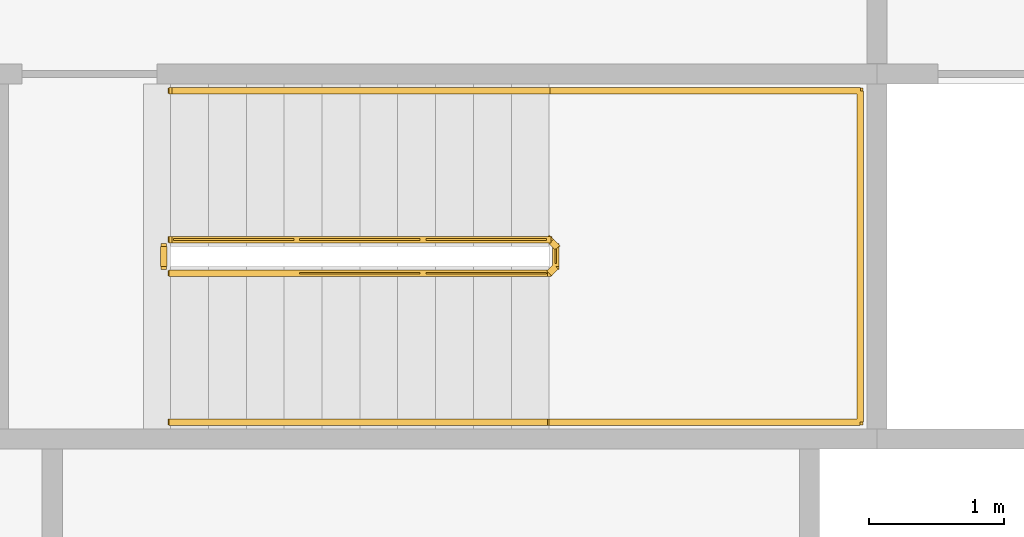
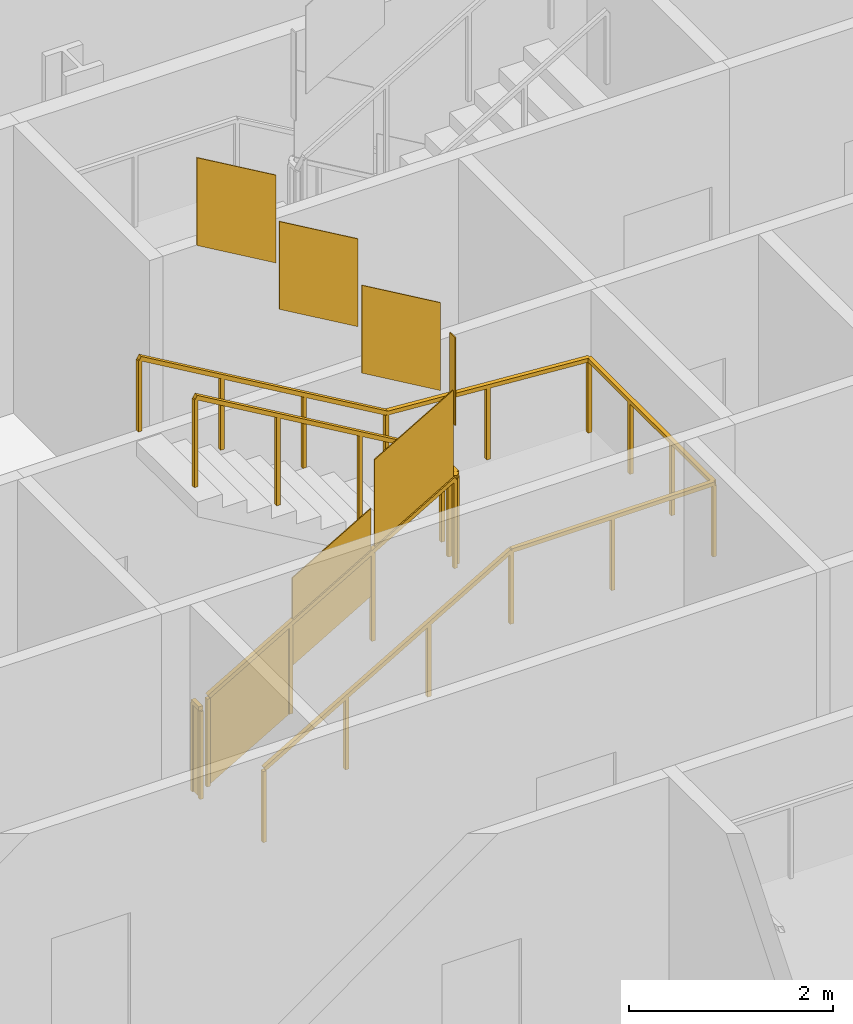
# One storey, part 17 of 21: 3 railings.
"""IFC4 building model written with IfcOpenShell, lengths in metres."""

from ifc_helpers import new_model, si_unit, direction, frame, origin, origin_2d, place, context, subcontext, project, spatial, polyline, rectangle, outline, extrude, material, type_object, element, save


model = new_model("IFC4")

# Units and contexts
model_context = context("Model", 3, precision=1e-05, world=origin(), true_north=direction((0.0, 1.0)))
body_context = subcontext(model_context, "Body", "Model", "MODEL_VIEW")
ifc_project = project(units=[si_unit("LENGTHUNIT", "METRE"), si_unit("AREAUNIT", "SQUARE_METRE"), si_unit("VOLUMEUNIT", "CUBIC_METRE"), si_unit("PLANEANGLEUNIT", "RADIAN"), si_unit("MASSUNIT", "GRAM", prefix="KILO")], contexts=[model_context])

# Site, building, storey
site_placement = place(None, origin())
site = spatial("IfcSite", under=ifc_project, at=site_placement, CompositionType="ELEMENT")
building_placement = place(site_placement, origin())
building = spatial("IfcBuilding", under=site, at=building_placement, Name="Cairn Pilgrim Tower", CompositionType="ELEMENT")
storey_placement = place(building_placement, frame((0.0, 0.0, 136.199951171875)))
storey = spatial("IfcBuildingStorey", under=building, at=storey_placement, Name="L33", CompositionType="ELEMENT", Elevation=136.199951171875)

# Railings
ifc_material = material(Name="Painted steel", Category="steel")
railing_type_1 = type_object("IfcRailingType", Name="STAIR GUARD 1100", PredefinedType="GUARDRAIL", material=ifc_material)
railing_1_placement = place(storey_placement, frame((4.47509765625, 3.425048828125, 0.16357421875)))
element("IfcRailing", 1, at=railing_1_placement, inside=storey, type_object=railing_type_1, Name="L33 ST-B stair guard 1", PredefinedType="GUARDRAIL", context=body_context, shape_type="SweptSolid", body=[
    extrude(rectangle(XDim=0.048095703125, YDim=0.048095703125, at=origin_2d()), frame((0.0, 0.0, 1.076171875), z_axis=(0.863341702679, 0.0, 0.504619762213), x_axis=(0.0, 1.0, 0.0)), (0.0, 0.0, 1.0), 3.242919921875),
    extrude(rectangle(XDim=0.048095703125, YDim=0.048095703125, at=origin_2d()), frame((2.7998046875, 0.0, 2.71240234375), z_axis=(0.707106781187, 0.707106781187, 0.0), x_axis=(-0.707106781187, 0.707106781187, 0.0)), (0.0, 0.0, 1.0), 0.07080078125),
    extrude(rectangle(XDim=0.048095703125, YDim=0.048095703125, at=origin_2d()), frame((2.849853515625, 0.050048828125, 2.71240234375), z_axis=(0.0, 1.0, 0.0), x_axis=(-1.0, 0.0, 0.0)), (0.0, 0.0, 1.0), 0.14990234375),
    extrude(rectangle(XDim=0.048095703125, YDim=0.048095703125, at=origin_2d()), frame((2.849853515625, 0.199951171875, 2.71240234375), z_axis=(-0.280808744504, 0.280808744504, 0.917765164963), x_axis=(-0.707106781187, -0.707106781187, 0.0)), (0.0, 0.0, 1.0), 0.17822265625),
    extrude(rectangle(XDim=0.048095703125, YDim=0.048095703125, at=origin_2d()), frame((2.7998046875, 0.25, 2.8759765625), z_axis=(-0.863341702679, 0.0, 0.504619762213), x_axis=(0.0, -1.0, 0.0)), (0.0, 0.0, 1.0), 3.242919921875),
    extrude(rectangle(XDim=0.0419921875, YDim=0.0419921875, at=origin_2d()), origin(), (0.0, 0.0, 1.0), 1.052001953125),
    extrude(rectangle(XDim=0.0419921875, YDim=0.0419921875, at=origin_2d()), frame((0.933349609375, 0.0, 0.54541015625)), (0.0, 0.0, 1.0), 1.052001953125),
    extrude(rectangle(XDim=0.0419921875, YDim=0.0419921875, at=origin_2d()), frame((1.866455078125, 0.0, 1.091064453125)), (0.0, 0.0, 1.0), 1.052001953125),
    extrude(rectangle(XDim=0.0419921875, YDim=0.0419921875, at=origin_2d()), frame((2.7998046875, 0.0, 1.636474609375)), (0.0, 0.0, 1.0), 1.052001953125),
    extrude(rectangle(XDim=0.0419921875, YDim=0.0419921875, at=origin_2d()), frame((2.849853515625, 0.050048828125, 1.636474609375)), (0.0, 0.0, 1.0), 1.052001953125),
    extrude(rectangle(XDim=0.0419921875, YDim=0.0419921875, at=origin_2d()), frame((2.849853515625, 0.199951171875, 1.636474609375)), (0.0, 0.0, 1.0), 1.052001953125),
    extrude(rectangle(XDim=0.0419921875, YDim=0.0419921875, at=origin_2d()), frame((2.7998046875, 0.25, 1.800048828125)), (0.0, 0.0, 1.0), 1.052001953125),
    extrude(rectangle(XDim=0.0419921875, YDim=0.0419921875, at=origin_2d()), frame((1.866455078125, 0.25, 2.345458984375)), (0.0, 0.0, 1.0), 1.052001953125),
    extrude(rectangle(XDim=0.0419921875, YDim=0.0419921875, at=origin_2d()), frame((0.933349609375, 0.25, 2.89111328125)), (0.0, 0.0, 1.0), 1.052001953125),
    extrude(rectangle(XDim=0.0419921875, YDim=0.0419921875, at=origin_2d()), frame((0.0, 0.25, 3.4365234375)), (0.0, 0.0, 1.0), 1.052001953125),
    extrude(outline(polyline([(0.02099609375, 0.01220703125), (0.912353515625, 0.533203125), (0.912353515625, 1.585205078125), (0.02099609375, 1.064208984375), (0.02099609375, 0.01220703125)])), frame((0.0, 0.005859375, 0.0), z_axis=(0.0, -1.0, 0.0), x_axis=(1.0, 0.0, 0.0)), (0.0, 0.0, 1.0), 0.011962890625),
    extrude(outline(polyline([(0.02099609375, 0.557861328125), (0.912353515625, 1.07861328125), (0.912353515625, 2.130615234375), (0.02099609375, 1.60986328125), (0.02099609375, 0.557861328125)])), frame((0.933349609375, 0.005859375, 0.54541015625), z_axis=(0.0, -1.0, 0.0), x_axis=(1.0, 0.0, 0.0)), (0.0, 0.0, 1.0), 0.011962890625),
    extrude(outline(polyline([(0.02099609375, 1.103271484375), (0.912353515625, 1.624267578125), (0.912353515625, 2.67626953125), (0.02099609375, 2.1552734375), (0.02099609375, 1.103271484375)])), frame((1.866455078125, 0.005859375, 1.091064453125), z_axis=(0.0, -1.0, 0.0), x_axis=(1.0, 0.0, 0.0)), (0.0, 0.0, 1.0), 0.011962890625),
    extrude(outline(polyline([(0.02099609375, 1.636474609375), (0.12890625, 1.636474609375), (0.12890625, 2.6884765625), (0.02099609375, 2.6884765625), (0.02099609375, 1.636474609375)])), frame((2.84375, 0.050048828125, 1.636474609375), z_axis=(1.0, 0.0, 0.0), x_axis=(0.0, 1.0, 0.0)), (0.0, 0.0, 1.0), 0.011962890625),
    extrude(outline(polyline([(0.02099609375, 1.812255859375), (0.912353515625, 2.333251953125), (0.912353515625, 3.38525390625), (0.02099609375, 2.8642578125), (0.02099609375, 1.812255859375)])), frame((2.7998046875, 0.244140625, 1.800048828125), z_axis=(0.0, 1.0, 0.0), x_axis=(-1.0, 0.0, 0.0)), (0.0, 0.0, 1.0), 0.011962890625),
    extrude(outline(polyline([(0.02099609375, 2.35791015625), (0.912353515625, 2.878662109375), (0.912353515625, 3.9306640625), (0.02099609375, 3.409912109375), (0.02099609375, 2.35791015625)])), frame((1.866455078125, 0.244140625, 2.345458984375), z_axis=(0.0, 1.0, 0.0), x_axis=(-1.0, 0.0, 0.0)), (0.0, 0.0, 1.0), 0.011962890625),
    extrude(outline(polyline([(0.02099609375, 2.9033203125), (0.912353515625, 3.42431640625), (0.912353515625, 4.476318359375), (0.02099609375, 3.955322265625), (0.02099609375, 2.9033203125)])), frame((0.933349609375, 0.244140625, 2.89111328125), z_axis=(0.0, 1.0, 0.0), x_axis=(-1.0, 0.0, 0.0)), (0.0, 0.0, 1.0), 0.011962890625),
])
railing_2_placement = place(storey_placement, frame((4.425048828125, 3.47509765625, 0.0)))
element("IfcRailing", 2, at=railing_2_placement, inside=storey, type_object=railing_type_1, Name="L33 ST-B stair guard 2", PredefinedType="GUARDRAIL", context=body_context, shape_type="SweptSolid", body=[
    extrude(rectangle(XDim=0.048095703125, YDim=0.048095703125, at=origin_2d()), frame((0.0, 0.0, 1.076171875), z_axis=(0.0, 1.0, 0.0), x_axis=(-1.0, 0.0, 0.0)), (0.0, 0.0, 1.0), 0.14990234375),
    extrude(rectangle(XDim=0.0419921875, YDim=0.0419921875, at=origin_2d()), origin(), (0.0, 0.0, 1.0), 1.052001953125),
    extrude(rectangle(XDim=0.0419921875, YDim=0.0419921875, at=origin_2d()), frame((0.0, 0.14990234375, 0.0)), (0.0, 0.0, 1.0), 1.052001953125),
    extrude(outline(polyline([(0.02099609375, 0.0), (0.12890625, 0.0), (0.12890625, 1.052001953125), (0.02099609375, 1.052001953125), (0.02099609375, 0.0)])), frame((-0.005859375, 0.0, 0.0), z_axis=(1.0, 0.0, 0.0), x_axis=(0.0, 1.0, 0.0)), (0.0, 0.0, 1.0), 0.011962890625),
])
railing_type_2 = type_object("IfcRailingType", Name="STAIR HANDRAIL 900", PredefinedType="HANDRAIL", material=ifc_material)
railing_3_placement = place(storey_placement, frame((4.47509765625, 2.324951171875, 0.16357421875)))
element("IfcRailing", 3, at=railing_3_placement, inside=storey, type_object=railing_type_2, Name="L33 ST-B stair handrail 1", PredefinedType="HANDRAIL", context=body_context, shape_type="SweptSolid", body=[
    extrude(rectangle(XDim=0.048095703125, YDim=0.048095703125, at=origin_2d()), frame((0.0, 0.0, 0.8759765625), z_axis=(0.863341702679, 0.0, 0.504619762213), x_axis=(0.0, 1.0, 0.0)), (0.0, 0.0, 1.0), 3.242919921875),
    extrude(rectangle(XDim=0.048095703125, YDim=0.048095703125, at=origin_2d()), frame((2.7998046875, 0.0, 2.51220703125), z_axis=(1.0, 0.0, 0.0), x_axis=(0.0, 1.0, 0.0)), (0.0, 0.0, 1.0), 2.300048828125),
    extrude(rectangle(XDim=0.048095703125, YDim=0.048095703125, at=origin_2d()), frame((5.099853515625, 0.0, 2.51220703125), z_axis=(0.0, 1.0, 0.0), x_axis=(-1.0, 0.0, 0.0)), (0.0, 0.0, 1.0), 2.449951171875),
    extrude(rectangle(XDim=0.048095703125, YDim=0.048095703125, at=origin_2d()), frame((5.099853515625, 2.449951171875, 2.51220703125), z_axis=(-0.997480687736, 0.0, 0.070938548008), x_axis=(0.0, -1.0, 0.0)), (0.0, 0.0, 1.0), 2.305908203125),
    extrude(rectangle(XDim=0.048095703125, YDim=0.048095703125, at=origin_2d()), frame((2.7998046875, 2.449951171875, 2.67578125), z_axis=(-0.863341702679, 0.0, 0.504619762213), x_axis=(0.0, -1.0, 0.0)), (0.0, 0.0, 1.0), 3.242919921875),
    extrude(rectangle(XDim=0.0419921875, YDim=0.0419921875, at=origin_2d()), origin(), (0.0, 0.0, 1.0), 0.851806640625),
    extrude(rectangle(XDim=0.0419921875, YDim=0.0419921875, at=origin_2d()), frame((0.933349609375, 0.0, 0.54541015625)), (0.0, 0.0, 1.0), 0.851806640625),
    extrude(rectangle(XDim=0.0419921875, YDim=0.0419921875, at=origin_2d()), frame((1.866455078125, 0.0, 1.091064453125)), (0.0, 0.0, 1.0), 0.851806640625),
    extrude(rectangle(XDim=0.0419921875, YDim=0.0419921875, at=origin_2d()), frame((2.7998046875, 0.0, 1.636474609375)), (0.0, 0.0, 1.0), 0.851806640625),
    extrude(rectangle(XDim=0.0419921875, YDim=0.0419921875, at=origin_2d()), frame((3.94970703125, 0.0, 1.636474609375)), (0.0, 0.0, 1.0), 0.851806640625),
    extrude(rectangle(XDim=0.0419921875, YDim=0.0419921875, at=origin_2d()), frame((5.099853515625, 0.0, 1.636474609375)), (0.0, 0.0, 1.0), 0.851806640625),
    extrude(rectangle(XDim=0.0419921875, YDim=0.0419921875, at=origin_2d()), frame((5.099853515625, 0.816650390625, 1.636474609375)), (0.0, 0.0, 1.0), 0.851806640625),
    extrude(rectangle(XDim=0.0419921875, YDim=0.0419921875, at=origin_2d()), frame((5.099853515625, 1.63330078125, 1.636474609375)), (0.0, 0.0, 1.0), 0.851806640625),
    extrude(rectangle(XDim=0.0419921875, YDim=0.0419921875, at=origin_2d()), frame((5.099853515625, 2.449951171875, 1.636474609375)), (0.0, 0.0, 1.0), 0.851806640625),
    extrude(rectangle(XDim=0.0419921875, YDim=0.0419921875, at=origin_2d()), frame((3.94970703125, 2.449951171875, 1.71826171875)), (0.0, 0.0, 1.0), 0.851806640625),
    extrude(rectangle(XDim=0.0419921875, YDim=0.0419921875, at=origin_2d()), frame((2.7998046875, 2.449951171875, 1.800048828125)), (0.0, 0.0, 1.0), 0.851806640625),
    extrude(rectangle(XDim=0.0419921875, YDim=0.0419921875, at=origin_2d()), frame((1.866455078125, 2.449951171875, 2.345458984375)), (0.0, 0.0, 1.0), 0.851806640625),
    extrude(rectangle(XDim=0.0419921875, YDim=0.0419921875, at=origin_2d()), frame((0.933349609375, 2.449951171875, 2.89111328125)), (0.0, 0.0, 1.0), 0.851806640625),
    extrude(rectangle(XDim=0.0419921875, YDim=0.0419921875, at=origin_2d()), frame((0.0, 2.449951171875, 3.4365234375)), (0.0, 0.0, 1.0), 0.851806640625),
])

save(model, "model.ifc")
